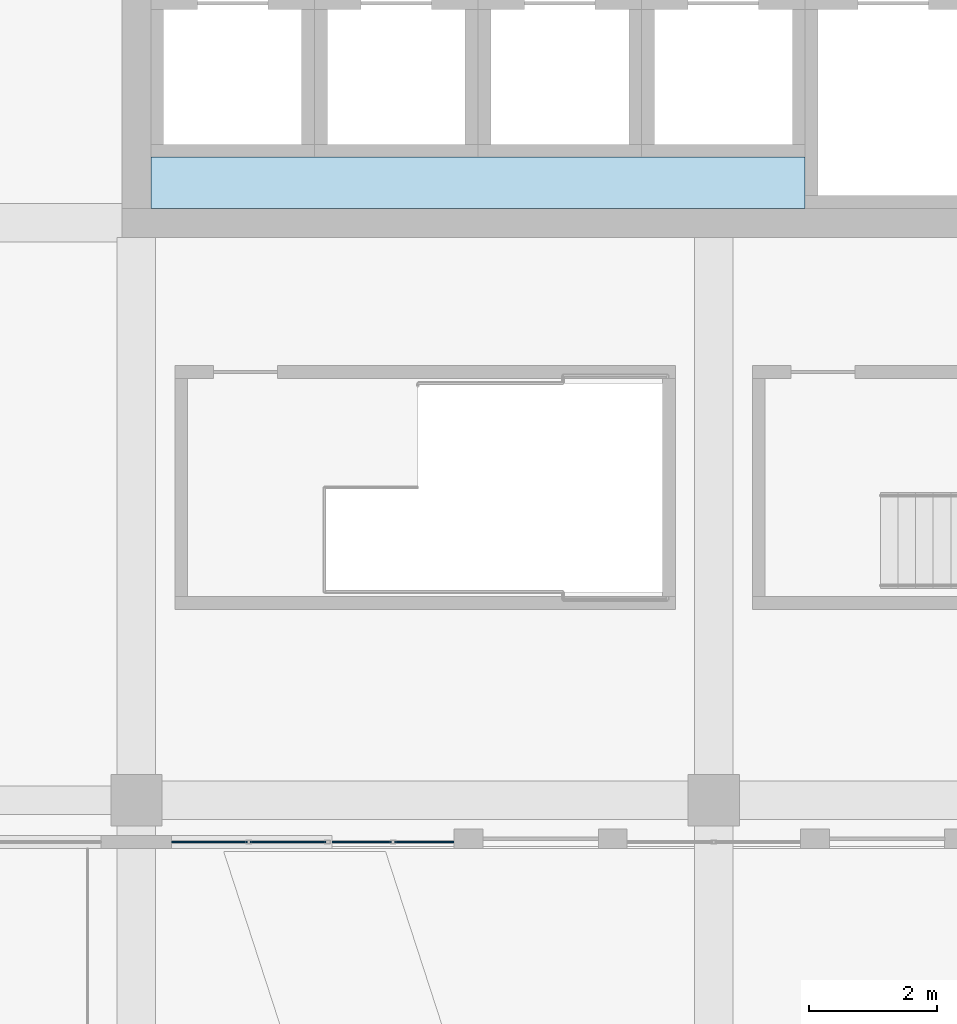
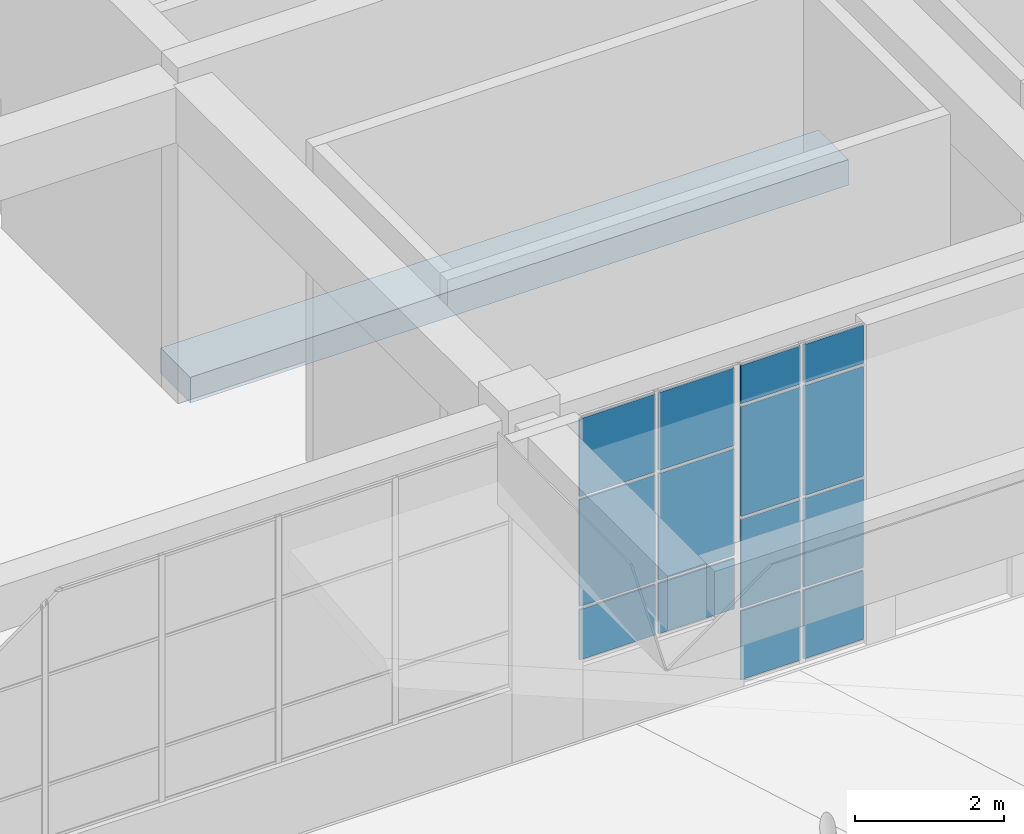
# One storey, part 46 of 72: 14 plates, 1 slab, 2 elements without a shape of their own.
"""IFC4 building model written with IfcOpenShell, lengths in metres."""

from ifc_helpers import new_model, si_unit, direction, frame, origin, origin_2d, place, context, subcontext, project, spatial, polyline, rectangle, outline, extrude, material, layer, layer_set, type_object, element, aggregate, save


model = new_model("IFC4")

# Units and contexts
model_context = context("Model", 3, precision=1e-05, world=origin(), true_north=direction((0.0, 1.0)))
body_context = subcontext(model_context, "Body", "Model", "MODEL_VIEW")
ifc_project = project(units=[si_unit("LENGTHUNIT", "METRE"), si_unit("AREAUNIT", "SQUARE_METRE"), si_unit("VOLUMEUNIT", "CUBIC_METRE"), si_unit("PLANEANGLEUNIT", "RADIAN"), si_unit("MASSUNIT", "GRAM", prefix="KILO")], contexts=[model_context])

# Site, building, storey
site_placement = place(None, origin())
site = spatial("IfcSite", under=ifc_project, at=site_placement, CompositionType="ELEMENT")
building_placement = place(site_placement, origin())
building = spatial("IfcBuilding", under=site, at=building_placement, Name="Tuart Plaza Theatre", CompositionType="ELEMENT")
storey_placement = place(building_placement, origin())
storey = spatial("IfcBuildingStorey", under=building, at=storey_placement, Name="L00", CompositionType="ELEMENT", Elevation=0.0)

# Curtain wall, plates
ifc_material_1 = material(Name="Aluminium and glass", Category="aluminium")
ifc_layer_1 = layer(ifc_material_1, 0.10009765625)
ifc_layer_set_1 = layer_set([ifc_layer_1], Name="CURTAIN WALL 1250 module")
curtain_wall_type_1 = type_object("IfcCurtainWallType", Name="CURTAIN WALL 1250 module", PredefinedType="NOTDEFINED", material=ifc_layer_set_1)
curtain_wall_1_placement = place(storey_placement, origin())
curtain_wall_1 = element("IfcCurtainWall", 1, at=curtain_wall_1_placement, inside=storey, type_object=curtain_wall_type_1, Name="CW61", PredefinedType="NOTDEFINED")
ifc_material_2 = material(Name="Glass", Category="glass")
ifc_layer_2 = layer(ifc_material_2, 0.028076171875)
ifc_layer_set_2 = layer_set([ifc_layer_2], Name="CURTAIN PANEL double glazed 28")
plate_type = type_object("IfcPlateType", Name="CURTAIN PANEL double glazed 28", PredefinedType="CURTAIN_PANEL", material=ifc_layer_set_2)
plate_1_placement = place(storey_placement, frame((124.137451171875, 55.35009765625, 1.25), z_axis=(0.0, 0.0, 1.0), x_axis=(1.0, 0.0, 0.0)))
plate_1 = element("IfcPlate", 2, at=plate_1_placement, type_object=plate_type, Name="CW61 panel 1.1", PredefinedType="CURTAIN_PANEL", context=body_context, shape_type="SweptSolid", body=[
    extrude(rectangle(XDim=1.175048828125, YDim=0.028076171875, at=origin_2d()), origin(), (0.0, 0.0, 1.0), 0.824951171875),
])
plate_2_placement = place(storey_placement, frame((124.137451171875, 55.35009765625, 2.125), z_axis=(0.0, 0.0, 1.0), x_axis=(1.0, 0.0, 0.0)))
plate_2 = element("IfcPlate", 3, at=plate_2_placement, type_object=plate_type, Name="CW61 panel 1.2", PredefinedType="CURTAIN_PANEL", context=body_context, shape_type="SweptSolid", body=[
    extrude(rectangle(XDim=1.175048828125, YDim=0.028076171875, at=origin_2d()), origin(), (0.0, 0.0, 1.0), 1.75),
])
plate_3_placement = place(storey_placement, frame((124.137451171875, 55.35009765625, 3.925048828125), z_axis=(0.0, 0.0, 1.0), x_axis=(1.0, 0.0, 0.0)))
plate_3 = element("IfcPlate", 4, at=plate_3_placement, type_object=plate_type, Name="CW61 panel 1.3", PredefinedType="CURTAIN_PANEL", context=body_context, shape_type="SweptSolid", body=[
    extrude(rectangle(XDim=1.175048828125, YDim=0.028076171875, at=origin_2d()), origin(), (0.0, 0.0, 1.0), 1.27490234375),
])
plate_4_placement = place(storey_placement, frame((125.362548828125, 55.35009765625, 1.25), z_axis=(0.0, 0.0, 1.0), x_axis=(1.0, 0.0, 0.0)))
plate_4 = element("IfcPlate", 5, at=plate_4_placement, type_object=plate_type, Name="CW61 panel 2.1", PredefinedType="CURTAIN_PANEL", context=body_context, shape_type="SweptSolid", body=[
    extrude(rectangle(XDim=1.175048828125, YDim=0.028076171875, at=origin_2d()), origin(), (0.0, 0.0, 1.0), 0.824951171875),
])
plate_5_placement = place(storey_placement, frame((125.362548828125, 55.35009765625, 2.125), z_axis=(0.0, 0.0, 1.0), x_axis=(1.0, 0.0, 0.0)))
plate_5 = element("IfcPlate", 6, at=plate_5_placement, type_object=plate_type, Name="CW61 panel 2.2", PredefinedType="CURTAIN_PANEL", context=body_context, shape_type="SweptSolid", body=[
    extrude(rectangle(XDim=1.175048828125, YDim=0.028076171875, at=origin_2d()), origin(), (0.0, 0.0, 1.0), 1.75),
])
plate_6_placement = place(storey_placement, frame((125.362548828125, 55.35009765625, 3.925048828125), z_axis=(0.0, 0.0, 1.0), x_axis=(1.0, 0.0, 0.0)))
plate_6 = element("IfcPlate", 7, at=plate_6_placement, type_object=plate_type, Name="CW61 panel 2.3", PredefinedType="CURTAIN_PANEL", context=body_context, shape_type="SweptSolid", body=[
    extrude(rectangle(XDim=1.175048828125, YDim=0.028076171875, at=origin_2d()), origin(), (0.0, 0.0, 1.0), 1.27490234375),
])
aggregate(curtain_wall_1, [plate_1, plate_2, plate_3, plate_4, plate_5, plate_6])

ifc_material_3 = material(Name="Aluminium and glass", Category="aluminium")
ifc_layer_3 = layer(ifc_material_3, 0.10009765625)
ifc_layer_set_3 = layer_set([ifc_layer_3], Name="CURTAIN WALL 1000 module")
curtain_wall_type_2 = type_object("IfcCurtainWallType", Name="CURTAIN WALL 1000 module", PredefinedType="NOTDEFINED", material=ifc_layer_set_3)
curtain_wall_2_placement = place(storey_placement, origin())
curtain_wall_2 = element("IfcCurtainWall", 8, at=curtain_wall_2_placement, inside=storey, type_object=curtain_wall_type_2, Name="CW62", PredefinedType="NOTDEFINED")
plate_7_placement = place(storey_placement, frame((126.512451171875, 55.35009765625, 0.050048828125), z_axis=(0.0, 0.0, 1.0), x_axis=(1.0, 0.0, 0.0)))
plate_7 = element("IfcPlate", 9, at=plate_7_placement, type_object=plate_type, Name="CW62 panel 1.1", PredefinedType="CURTAIN_PANEL", context=body_context, shape_type="SweptSolid", body=[
    extrude(rectangle(XDim=0.925048828125, YDim=0.028076171875, at=origin_2d()), origin(), (0.0, 0.0, 1.0), 1.125),
])
plate_8_placement = place(storey_placement, frame((126.512451171875, 55.35009765625, 1.22509765625), z_axis=(0.0, 0.0, 1.0), x_axis=(1.0, 0.0, 0.0)))
plate_8 = element("IfcPlate", 10, at=plate_8_placement, type_object=plate_type, Name="CW62 panel 1.2", PredefinedType="CURTAIN_PANEL", context=body_context, shape_type="SweptSolid", body=[
    extrude(rectangle(XDim=0.925048828125, YDim=0.028076171875, at=origin_2d()), origin(), (0.0, 0.0, 1.0), 1.449951171875),
])
plate_9_placement = place(storey_placement, frame((126.512451171875, 55.35009765625, 2.72509765625), z_axis=(0.0, 0.0, 1.0), x_axis=(1.0, 0.0, 0.0)))
plate_9 = element("IfcPlate", 11, at=plate_9_placement, type_object=plate_type, Name="CW62 panel 1.3", PredefinedType="CURTAIN_PANEL", context=body_context, shape_type="SweptSolid", body=[
    extrude(rectangle(XDim=0.925048828125, YDim=0.028076171875, at=origin_2d()), origin(), (0.0, 0.0, 1.0), 1.800048828125),
])
plate_10_placement = place(storey_placement, frame((126.512451171875, 55.35009765625, 4.574951171875), z_axis=(0.0, 0.0, 1.0), x_axis=(1.0, 0.0, 0.0)))
plate_10 = element("IfcPlate", 12, at=plate_10_placement, type_object=plate_type, Name="CW62 panel 1.4", PredefinedType="CURTAIN_PANEL", context=body_context, shape_type="SweptSolid", body=[
    extrude(rectangle(XDim=0.925048828125, YDim=0.028076171875, at=origin_2d()), origin(), (0.0, 0.0, 1.0), 0.625),
])
plate_11_placement = place(storey_placement, frame((127.487548828125, 55.35009765625, 0.050048828125), z_axis=(0.0, 0.0, 1.0), x_axis=(1.0, 0.0, 0.0)))
plate_11 = element("IfcPlate", 13, at=plate_11_placement, type_object=plate_type, Name="CW62 panel 2.1", PredefinedType="CURTAIN_PANEL", context=body_context, shape_type="SweptSolid", body=[
    extrude(rectangle(XDim=0.925048828125, YDim=0.028076171875, at=origin_2d()), origin(), (0.0, 0.0, 1.0), 1.125),
])
plate_12_placement = place(storey_placement, frame((127.487548828125, 55.35009765625, 1.22509765625), z_axis=(0.0, 0.0, 1.0), x_axis=(1.0, 0.0, 0.0)))
plate_12 = element("IfcPlate", 14, at=plate_12_placement, type_object=plate_type, Name="CW62 panel 2.2", PredefinedType="CURTAIN_PANEL", context=body_context, shape_type="SweptSolid", body=[
    extrude(rectangle(XDim=0.925048828125, YDim=0.028076171875, at=origin_2d()), origin(), (0.0, 0.0, 1.0), 1.449951171875),
])
plate_13_placement = place(storey_placement, frame((127.487548828125, 55.35009765625, 2.72509765625), z_axis=(0.0, 0.0, 1.0), x_axis=(1.0, 0.0, 0.0)))
plate_13 = element("IfcPlate", 15, at=plate_13_placement, type_object=plate_type, Name="CW62 panel 2.3", PredefinedType="CURTAIN_PANEL", context=body_context, shape_type="SweptSolid", body=[
    extrude(rectangle(XDim=0.925048828125, YDim=0.028076171875, at=origin_2d()), origin(), (0.0, 0.0, 1.0), 1.800048828125),
])
plate_14_placement = place(storey_placement, frame((127.487548828125, 55.35009765625, 4.574951171875), z_axis=(0.0, 0.0, 1.0), x_axis=(1.0, 0.0, 0.0)))
plate_14 = element("IfcPlate", 16, at=plate_14_placement, type_object=plate_type, Name="CW62 panel 2.4", PredefinedType="CURTAIN_PANEL", context=body_context, shape_type="SweptSolid", body=[
    extrude(rectangle(XDim=0.925048828125, YDim=0.028076171875, at=origin_2d()), origin(), (0.0, 0.0, 1.0), 0.625),
])
aggregate(curtain_wall_2, [plate_7, plate_8, plate_9, plate_10, plate_11, plate_12, plate_13, plate_14])

# Slab
ifc_material_4 = material(Name="Concrete N40 (40 MPa)", Category="concrete")
ifc_layer_4 = layer(ifc_material_4, 0.419921875)
ifc_layer_set_4 = layer_set([ifc_layer_4], Name="SLAB Floor 420 Concrete N40 (40 MPa)")
slab_type = type_object("IfcSlabType", Name="SLAB Floor 420 Concrete N40 (40 MPa)", PredefinedType="FLOOR", material=ifc_layer_set_4)
slab_placement = place(storey_placement, frame((0.0, 0.0, -0.419921875)))
element("IfcSlab", 17, at=slab_placement, inside=storey, type_object=slab_type, Name="S81", PredefinedType="FLOOR", context=body_context, shape_type="SweptSolid", body=[
    extrude(outline(polyline([(123.22509765625, 66.02490234375), (123.22509765625, 65.22509765625), (133.425048828125, 65.22509765625), (133.425048828125, 66.02490234375), (123.22509765625, 66.02490234375)])), origin(), (0.0, 0.0, 1.0), 0.419921875),
])

save(model, "model.ifc")
